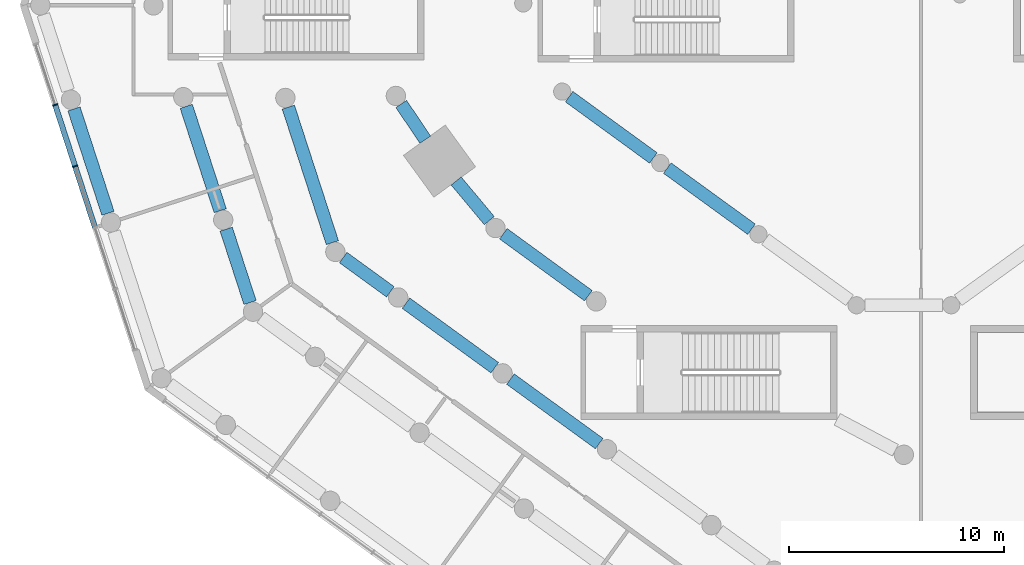
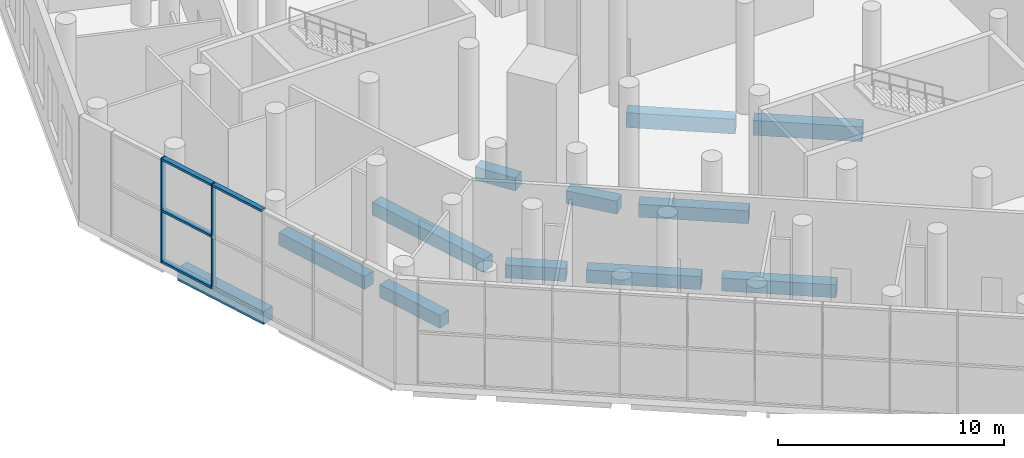
# One storey, part 3 of 23: 12 beams, 6 members, 1 element without a shape of its own.
"""IFC4 building model written with IfcOpenShell, lengths in metres."""

from ifc_helpers import new_model, si_unit, direction, frame, origin, origin_2d, place, context, subcontext, project, spatial, rectangle, extrude, material, material_profile, profile_set, type_object, element, aggregate, save


model = new_model("IFC4")

# Units and contexts
model_context = context("Model", 3, precision=1e-05, world=origin(), true_north=direction((0.0, 1.0)))
body_context = subcontext(model_context, "Body", "Model", "MODEL_VIEW")
ifc_project = project(units=[si_unit("LENGTHUNIT", "METRE"), si_unit("AREAUNIT", "SQUARE_METRE"), si_unit("VOLUMEUNIT", "CUBIC_METRE"), si_unit("PLANEANGLEUNIT", "RADIAN"), si_unit("MASSUNIT", "GRAM", prefix="KILO")], contexts=[model_context])

# Site, building, storey
site_placement = place(None, origin())
site = spatial("IfcSite", under=ifc_project, at=site_placement, CompositionType="ELEMENT")
building_placement = place(site_placement, origin())
building = spatial("IfcBuilding", under=site, at=building_placement, Name="White Candle Pilgrim Tower", CompositionType="ELEMENT")
storey_placement = place(building_placement, frame((0.0, 0.0, 9.0)))
storey = spatial("IfcBuildingStorey", under=building, at=storey_placement, Name="L01", CompositionType="ELEMENT", Elevation=9.0)

# Curtain wall, members
ifc_material_1 = material(Name="Aluminium and glass", Category="aluminium")
curtain_wall_type = type_object("IfcCurtainWallType", Name="Curtain wall CW1 hall glazing", PredefinedType="NOTDEFINED", material=ifc_material_1)
curtain_wall_placement = place(storey_placement, origin())
curtain_wall = element("IfcCurtainWall", 1, at=curtain_wall_placement, inside=storey, type_object=curtain_wall_type, Name="Curtain wall CW1 L01 W chamfer", PredefinedType="NOTDEFINED")
ifc_material_2 = material(Name="Aluminium", Category="aluminium")
ifc_material_profile_1 = material_profile(ifc_material_2, rectangle(XDim=0.25, YDim=0.06005859375, at=origin_2d()), Name="CW1 mullion 60x250")
ifc_profile_set_1 = profile_set([ifc_material_profile_1], Name="Aluminium")
member_type_1 = type_object("IfcMemberType", Name="CW1 mullion 60x250", PredefinedType="MULLION", material=ifc_profile_set_1)
member_1_placement = place(storey_placement, frame((30.553955078125, 55.914794921875, 0.0), z_axis=(0.0, 0.0, 1.0), x_axis=(0.95105651629, 0.309016994392, 0.0)))
member_1 = element("IfcMember", 2, at=member_1_placement, type_object=member_type_1, Name="CW1 mullion 2", PredefinedType="MULLION", context=body_context, shape_type="SweptSolid", body=[
    extrude(rectangle(XDim=0.25, YDim=0.06005859375, at=origin_2d()), origin(), (0.0, 0.0, 1.0), 5.64990234375),
])
member_2_placement = place(storey_placement, frame((31.48095703125, 53.0615234375, 0.0), z_axis=(0.0, 0.0, 1.0), x_axis=(0.95105651629, 0.309016994392, 0.0)))
member_2 = element("IfcMember", 3, at=member_2_placement, type_object=member_type_1, Name="CW1 mullion 3", PredefinedType="MULLION", context=body_context, shape_type="SweptSolid", body=[
    extrude(rectangle(XDim=0.25, YDim=0.06005859375, at=origin_2d()), origin(), (0.0, 0.0, 1.0), 5.64990234375),
])
ifc_material_profile_2 = material_profile(ifc_material_2, rectangle(XDim=0.25, YDim=0.1201171875, at=origin_2d()), Name="CW1 transom 120x250")
ifc_profile_set_2 = profile_set([ifc_material_profile_2], Name="Aluminium")
member_type_2 = type_object("IfcMemberType", Name="CW1 transom 120x250", PredefinedType="USERDEFINED", material=ifc_profile_set_2)
member_3_placement = place(storey_placement, frame((30.563232421875, 55.88623046875, 0.06005859375), z_axis=(0.30899406435, -0.951063966406, 0.0), x_axis=(0.951063966406, 0.30899406435, 0.0)))
member_3 = element("IfcMember", 4, at=member_3_placement, type_object=member_type_2, Name="CW1 transom 2.1", ObjectType="TRANSOM", PredefinedType="USERDEFINED", context=body_context, shape_type="SweptSolid", body=[
    extrude(rectangle(XDim=0.25, YDim=0.1201171875, at=origin_2d()), origin(), (0.0, 0.0, 1.0), 2.93994140625),
])
member_4_placement = place(storey_placement, frame((30.563232421875, 55.88623046875, 2.824951171875), z_axis=(0.30899406435, -0.951063966406, 0.0), x_axis=(0.951063966406, 0.30899406435, 0.0)))
member_4 = element("IfcMember", 5, at=member_4_placement, type_object=member_type_2, Name="CW1 transom 2.2", ObjectType="TRANSOM", PredefinedType="USERDEFINED", context=body_context, shape_type="SweptSolid", body=[
    extrude(rectangle(XDim=0.25, YDim=0.1201171875, at=origin_2d()), origin(), (0.0, 0.0, 1.0), 2.93994140625),
])
member_5_placement = place(storey_placement, frame((30.563232421875, 55.88623046875, 5.590087890625), z_axis=(0.30899406435, -0.951063966406, 0.0), x_axis=(0.951063966406, 0.30899406435, 0.0)))
member_5 = element("IfcMember", 6, at=member_5_placement, type_object=member_type_2, Name="CW1 transom 2.3", ObjectType="TRANSOM", PredefinedType="USERDEFINED", context=body_context, shape_type="SweptSolid", body=[
    extrude(rectangle(XDim=0.25, YDim=0.1201171875, at=origin_2d()), origin(), (0.0, 0.0, 1.0), 2.93994140625),
])
member_6_placement = place(storey_placement, frame((31.490234375, 53.032958984375, 5.590087890625), z_axis=(0.309018469575, -0.951056036972, 0.0), x_axis=(0.951056036972, 0.309018469575, 0.0)))
member_6 = element("IfcMember", 7, at=member_6_placement, type_object=member_type_2, Name="CW1 transom 3.3", ObjectType="TRANSOM", PredefinedType="USERDEFINED", context=body_context, shape_type="SweptSolid", body=[
    extrude(rectangle(XDim=0.25, YDim=0.1201171875, at=origin_2d()), origin(), (0.0, 0.0, 1.0), 2.939697265625),
])
aggregate(curtain_wall, [member_1, member_2, member_3, member_4, member_5, member_6])

# Beams
ifc_material_3 = material(Name="Concrete C50/60", Category="concrete")
ifc_material_profile_3 = material_profile(ifc_material_3, rectangle(XDim=0.60009765625, YDim=0.800048828125, at=origin_2d()), Name="RC-BM 600x800")
ifc_profile_set_3 = profile_set([ifc_material_profile_3], Name="Concrete C50/60")
beam_type_1 = type_object("IfcBeamType", Name="Ring beam RC-BM 600x800 C50/60", PredefinedType="BEAM", material=ifc_profile_set_3)
beam_1_placement = place(storey_placement, frame((54.443115234375, 56.294677734375, -0.75), z_axis=(0.808428473545, -0.588594430115, 0.0), x_axis=(0.588594430115, 0.808428473545, 0.0)))
element("IfcBeam", 8, at=beam_1_placement, inside=storey, type_object=beam_type_1, Name="L01 ring beam R01", PredefinedType="BEAM", context=body_context, shape_type="SweptSolid", body=[
    extrude(rectangle(XDim=0.60009765625, YDim=0.800048828125, at=origin_2d()), origin(), (0.0, 0.0, 1.0), 4.841064453125),
])
beam_2_placement = place(storey_placement, frame((59.00341796875, 52.97509765625, -0.75), z_axis=(0.809305595912, -0.587387821141, 0.0), x_axis=(0.587387821141, 0.809305595912, 0.0)))
element("IfcBeam", 9, at=beam_2_placement, inside=storey, type_object=beam_type_1, Name="L01 ring beam R02", PredefinedType="BEAM", context=body_context, shape_type="SweptSolid", body=[
    extrude(rectangle(XDim=0.60009765625, YDim=0.800048828125, at=origin_2d()), origin(), (0.0, 0.0, 1.0), 4.835205078125),
])
ifc_material_profile_4 = material_profile(ifc_material_3, rectangle(XDim=0.60009765625, YDim=0.699951171875, at=origin_2d()), Name="RC-BM 600x700")
ifc_profile_set_4 = profile_set([ifc_material_profile_4], Name="Concrete C50/60")
beam_type_2 = type_object("IfcBeamType", Name="Spandrel beam RC-BM 600x700 C50/60", PredefinedType="BEAM", material=ifc_profile_set_4)
beam_3_placement = place(storey_placement, frame((46.640380859375, 55.956298828125, -0.699951171875), z_axis=(0.556617573138, -0.830768847077, 0.0), x_axis=(0.830768847077, 0.556617573138, 0.0)))
element("IfcBeam", 10, at=beam_3_placement, inside=storey, type_object=beam_type_2, Name="L01 spandrel beam T01", PredefinedType="BEAM", context=body_context, shape_type="SweptSolid", body=[
    extrude(rectangle(XDim=0.60009765625, YDim=0.699951171875, at=origin_2d()), origin(), (0.0, 0.0, 1.0), 1.99658203125),
])
beam_4_placement = place(storey_placement, frame((49.19140625, 52.377197265625, -0.699951171875), z_axis=(0.641413771477, -0.767195134083, 0.0), x_axis=(0.767195134083, 0.641413771477, 0.0)))
element("IfcBeam", 11, at=beam_4_placement, inside=storey, type_object=beam_type_2, Name="L01 spandrel beam T02", PredefinedType="BEAM", context=body_context, shape_type="SweptSolid", body=[
    extrude(rectangle(XDim=0.60009765625, YDim=0.699951171875, at=origin_2d()), origin(), (0.0, 0.0, 1.0), 2.401123046875),
])
beam_5_placement = place(storey_placement, frame((51.383544921875, 49.925048828125, -0.699951171875), z_axis=(0.808219865497, -0.588880844498, 0.0), x_axis=(0.588880844498, 0.808219865497, 0.0)))
element("IfcBeam", 12, at=beam_5_placement, inside=storey, type_object=beam_type_2, Name="L01 spandrel beam T03", PredefinedType="BEAM", context=body_context, shape_type="SweptSolid", body=[
    extrude(rectangle(XDim=0.60009765625, YDim=0.699951171875, at=origin_2d()), origin(), (0.0, 0.0, 1.0), 4.890869140625),
])
beam_6_placement = place(storey_placement, frame((31.429931640625, 55.726318359375, -0.699951171875), z_axis=(0.309038447078, -0.951049545622, 0.0), x_axis=(0.951049545622, 0.309038447078, 0.0)))
element("IfcBeam", 13, at=beam_6_placement, inside=storey, type_object=beam_type_2, Name="L01 spandrel beam A02", PredefinedType="BEAM", context=body_context, shape_type="SweptSolid", body=[
    extrude(rectangle(XDim=0.60009765625, YDim=0.699951171875, at=origin_2d()), origin(), (0.0, 0.0, 1.0), 5.100341796875),
])
beam_7_placement = place(storey_placement, frame((36.64892578125, 55.84521484375, -0.699951171875), z_axis=(0.308996245399, -0.951063257796, 0.0), x_axis=(0.951063257796, 0.308996245399, 0.0)))
element("IfcBeam", 14, at=beam_7_placement, inside=storey, type_object=beam_type_2, Name="L01 spandrel beam B01", PredefinedType="BEAM", context=body_context, shape_type="SweptSolid", body=[
    extrude(rectangle(XDim=0.60009765625, YDim=0.699951171875, at=origin_2d()), origin(), (0.0, 0.0, 1.0), 5.100830078125),
])
beam_8_placement = place(storey_placement, frame((38.5029296875, 50.13818359375, -0.699951171875), z_axis=(0.309029111375, -0.951052579158, 0.0), x_axis=(0.951052579158, 0.309029111375, 0.0)))
element("IfcBeam", 15, at=beam_8_placement, inside=storey, type_object=beam_type_2, Name="L01 spandrel beam B02", PredefinedType="BEAM", context=body_context, shape_type="SweptSolid", body=[
    extrude(rectangle(XDim=0.60009765625, YDim=0.699951171875, at=origin_2d()), origin(), (0.0, 0.0, 1.0), 3.5859375),
])
beam_9_placement = place(storey_placement, frame((41.39208984375, 55.80908203125, -0.699951171875), z_axis=(0.308987736587, -0.951066022229, 0.0), x_axis=(0.951066022229, 0.308987736587, 0.0)))
element("IfcBeam", 16, at=beam_9_placement, inside=storey, type_object=beam_type_2, Name="L01 spandrel beam C01", PredefinedType="BEAM", context=body_context, shape_type="SweptSolid", body=[
    extrude(rectangle(XDim=0.60009765625, YDim=0.699951171875, at=origin_2d()), origin(), (0.0, 0.0, 1.0), 6.62451171875),
])
beam_10_placement = place(storey_placement, frame((43.94189453125, 48.816650390625, -0.699951171875), z_axis=(0.809008975915, -0.587796288598, 0.0), x_axis=(0.587796288598, 0.809008975915, 0.0)))
element("IfcBeam", 17, at=beam_10_placement, inside=storey, type_object=beam_type_2, Name="L01 spandrel beam C02", PredefinedType="BEAM", context=body_context, shape_type="SweptSolid", body=[
    extrude(rectangle(XDim=0.60009765625, YDim=0.699951171875, at=origin_2d()), origin(), (0.0, 0.0, 1.0), 2.707275390625),
])
beam_11_placement = place(storey_placement, frame((46.85986328125, 46.696533203125, -0.699951171875), z_axis=(0.80900095282, -0.587807330965, 0.0), x_axis=(0.587807330965, 0.80900095282, 0.0)))
element("IfcBeam", 18, at=beam_11_placement, inside=storey, type_object=beam_type_2, Name="L01 spandrel beam C03", PredefinedType="BEAM", context=body_context, shape_type="SweptSolid", body=[
    extrude(rectangle(XDim=0.60009765625, YDim=0.699951171875, at=origin_2d()), origin(), (0.0, 0.0, 1.0), 5.100341796875),
])
beam_12_placement = place(storey_placement, frame((51.7138671875, 43.169677734375, -0.699951171875), z_axis=(0.809069240735, -0.587713334625, 0.0), x_axis=(0.587713334625, 0.809069240735, 0.0)))
element("IfcBeam", 19, at=beam_12_placement, inside=storey, type_object=beam_type_2, Name="L01 spandrel beam C04", PredefinedType="BEAM", context=body_context, shape_type="SweptSolid", body=[
    extrude(rectangle(XDim=0.60009765625, YDim=0.699951171875, at=origin_2d()), origin(), (0.0, 0.0, 1.0), 5.099853515625),
])

save(model, "model.ifc")
